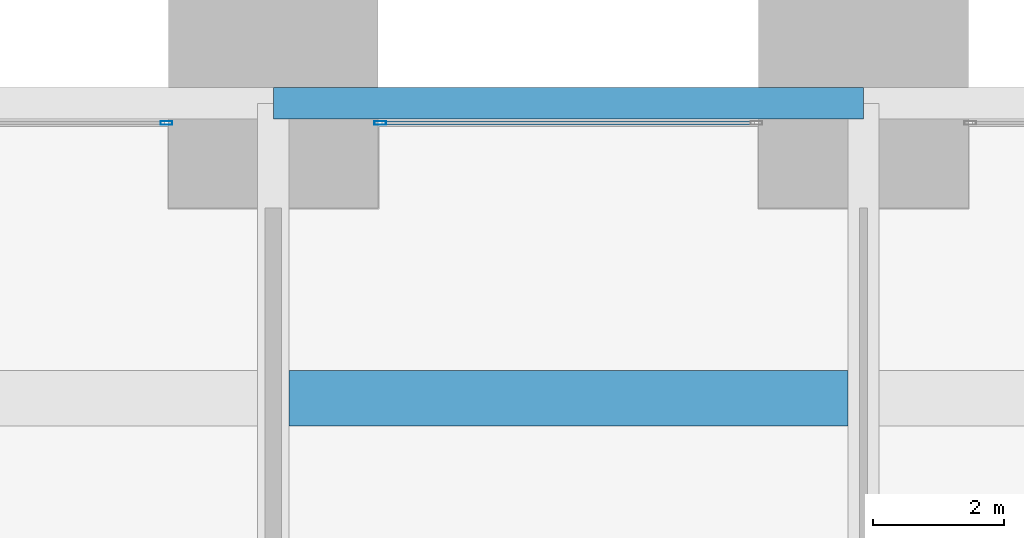
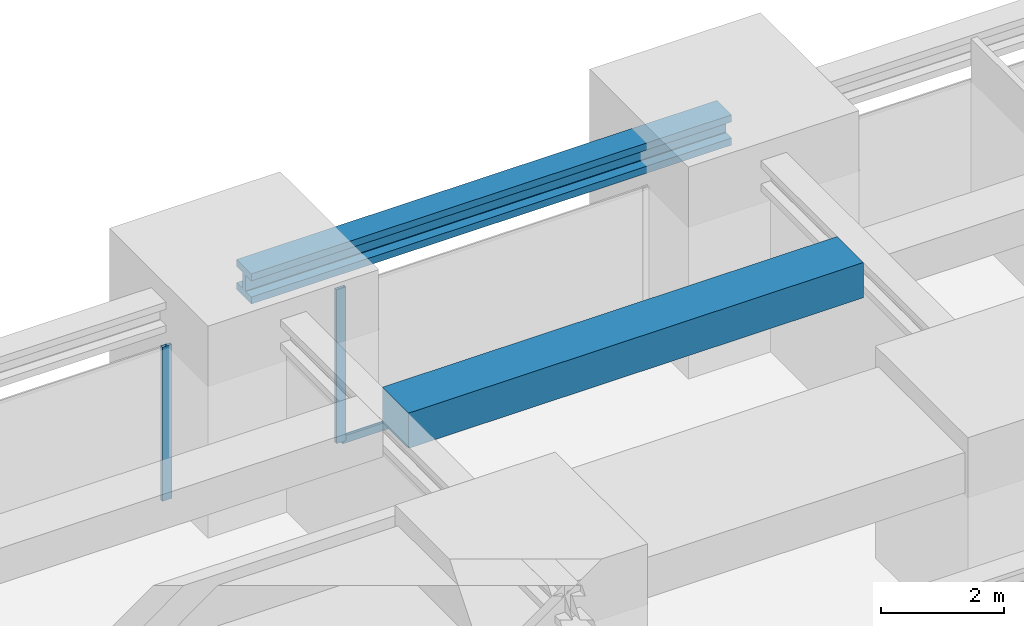
# One storey, part 29 of 42: 3 members, 2 beams, 2 elements without a shape of their own.
"""IFC4 building model written with IfcOpenShell, lengths in metres."""

import ifcopenshell
import ifcopenshell.guid

model = None  # the IFC model being written
_history = None  # IfcOwnerHistory: only IFC2X3 demands one
_inside = {}  # id of a spatial element -> (the spatial element, [elements in it])
_under = {}  # id of a project, library or spatial element -> (it, [spatial elements below it])
_declared = {}  # id of a project -> (the project, [libraries it declares])
_typed = {}  # id of a type object -> (the type object, [elements of that type])
_made_of = {}  # id of a material, layer set ... -> (it, [elements and type objects made of it])


def new_model(schema):
    """Start an empty IFC model of exactly this schema.

    Asked for "IFC4X3", IfcOpenShell would pick the latest addendum, in which some entities
    have other attributes; the version numbers below select the first issue.
    IFC2X3 requires an IfcOwnerHistory on every rooted entity: one is made here for all.
    """
    global model, _history
    if schema == "IFC4X3":
        model = ifcopenshell.file(schema_version=(4, 3, 0, 0))
    else:
        model = ifcopenshell.file(schema=schema)
    _inside.clear()
    _under.clear()
    _declared.clear()
    _typed.clear()
    _made_of.clear()
    _history = None
    if model.schema == "IFC2X3":
        org = make("IfcOrganization", Name="unknown")
        user = make(
            "IfcPersonAndOrganization",
            ThePerson=make("IfcPerson", FamilyName="unknown"),
            TheOrganization=org,
        )
        app = make(
            "IfcApplication",
            ApplicationDeveloper=org,
            Version="unknown",
            ApplicationFullName="unknown",
            ApplicationIdentifier="unknown",
        )
        _history = make(
            "IfcOwnerHistory",
            OwningUser=user,
            OwningApplication=app,
            ChangeAction="ADDED",
            CreationDate=0,
        )
    return model


def make(cls, **values):
    """One entity of the class cls with the attributes given. An attribute that is None is left unset."""
    return model.create_entity(
        cls, **{name: value for name, value in values.items() if value is not None}
    )


def rooted(cls, **values):
    """An entity with a GlobalId (a new one), such as an element, a storey or a relation."""
    return make(cls, GlobalId=ifcopenshell.guid.new(), OwnerHistory=_history, **values)


def si_unit(unit_type, name, prefix=None):
    """IfcSIUnit, for example si_unit("LENGTHUNIT", "METRE", prefix="MILLI")."""
    return make("IfcSIUnit", UnitType=unit_type, Prefix=prefix, Name=name)


def assignment(units):
    """IfcUnitAssignment: the units of a project."""
    return None if units is None else make("IfcUnitAssignment", Units=units)


def point(xyz):
    """IfcCartesianPoint."""
    return None if xyz is None else make("IfcCartesianPoint", Coordinates=xyz)


def direction(xyz):
    """IfcDirection."""
    return None if xyz is None else make("IfcDirection", DirectionRatios=xyz)


def frame(location, z_axis=None, x_axis=None):
    """IfcAxis2Placement3D, a coordinate frame: its origin and axes. An axis left out is left unset."""
    return make(
        "IfcAxis2Placement3D",
        Location=point(location),
        Axis=direction(z_axis),
        RefDirection=direction(x_axis),
    )


def frame_2d(location, x_axis=None):
    """IfcAxis2Placement2D, a coordinate frame in the plane: its origin and x axis."""
    return make(
        "IfcAxis2Placement2D", Location=point(location), RefDirection=direction(x_axis)
    )


def origin():
    """The frame at (0, 0, 0) with its axes left unset."""
    return frame((0.0, 0.0, 0.0))


def origin_2d():
    """The frame at (0, 0) in the plane with its x axis left unset."""
    return frame_2d((0.0, 0.0))


def place(relative_to, where):
    """IfcLocalPlacement: puts the frame where relative to a parent placement (None: the world)."""
    return make(
        "IfcLocalPlacement", PlacementRelTo=relative_to, RelativePlacement=where
    )


def context(
    kind, dimensions, precision=None, world=None, true_north=None, identifier=None
):
    """IfcGeometricRepresentationContext, for example the 3D "Model" context."""
    return make(
        "IfcGeometricRepresentationContext",
        ContextIdentifier=identifier,
        ContextType=kind,
        CoordinateSpaceDimension=dimensions,
        Precision=precision,
        WorldCoordinateSystem=world,
        TrueNorth=true_north,
    )


def subcontext(parent, identifier, kind, view, scale=None):
    """IfcGeometricRepresentationSubContext, for example "Body" below "Model"."""
    return make(
        "IfcGeometricRepresentationSubContext",
        ContextIdentifier=identifier,
        ContextType=kind,
        ParentContext=parent,
        TargetScale=scale,
        TargetView=view,
    )


def project(units=None, contexts=None):
    """IfcProject with its units and contexts."""
    return rooted(
        "IfcProject",
        Name="project",
        RepresentationContexts=contexts,
        UnitsInContext=assignment(units),
    )


def spatial(cls, under=None, at=None, **own):
    """A site, building, storey or space (cls), placed at a placement, below another one or the project."""
    s = rooted(cls, ObjectPlacement=at, **own)
    if under is not None:
        _under.setdefault(under.id(), (under, []))[1].append(s)
    return s


def profile(cls, at=None, kind="AREA", **sizes):
    """A parametric profile (cls). Its sizes go by their IFC names, for example OverallWidth=200.0."""
    return make(cls, ProfileType=kind, Position=at, **sizes)


def rectangle(**sizes):
    """IfcRectangleProfileDef."""
    return profile("IfcRectangleProfileDef", **sizes)


def hollow_rectangle(**sizes):
    """IfcRectangleHollowProfileDef."""
    return profile("IfcRectangleHollowProfileDef", **sizes)


def i_section(**sizes):
    """IfcIShapeProfileDef."""
    return profile("IfcIShapeProfileDef", **sizes)


def extrude(swept, where, along, depth):
    """IfcExtrudedAreaSolid: the profile swept, set in the frame where, extruded along a direction by depth."""
    return make(
        "IfcExtrudedAreaSolid",
        SweptArea=swept,
        Position=where,
        ExtrudedDirection=direction(along),
        Depth=depth,
    )


def shape(context_of_items, identifier, shape_type, items):
    """IfcShapeRepresentation: the items that make up one representation, for example the "Body"."""
    return make(
        "IfcShapeRepresentation",
        ContextOfItems=context_of_items,
        RepresentationIdentifier=identifier,
        RepresentationType=shape_type,
        Items=items,
    )


def material(Name=None, Category=None):
    """IfcMaterial."""
    return make("IfcMaterial", Name=Name, Category=Category)


def material_profile(
    of_material, cross_section, Name=None, Category=None, Priority=None
):
    """IfcMaterialProfile: a cross section and its material."""
    return make(
        "IfcMaterialProfile",
        Name=Name,
        Material=of_material,
        Profile=cross_section,
        Priority=Priority,
        Category=Category,
    )


def profile_set(profiles, Name=None, composite=None):
    """IfcMaterialProfileSet."""
    return make(
        "IfcMaterialProfileSet",
        Name=Name,
        MaterialProfiles=profiles,
        CompositeProfile=composite,
    )


def made_of(thing, what):
    """Note that an element or type object is made of a material, layer set ...; save() writes the relation."""
    if what is not None:
        _made_of.setdefault(what.id(), (what, []))[1].append(thing)
    return thing


def type_object(cls, material=None, **own):
    """A type object (cls), such as IfcWallType, which elements share."""
    return made_of(rooted(cls, **own), material)


def element(
    cls,
    number,
    at=None,
    inside=None,
    cuts=None,
    type_object=None,
    material=None,
    context=None,
    identifier="Body",
    shape_type=None,
    held_by="IfcProductDefinitionShape",
    body=None,
    shapes=None,
    **own,
):
    """One element of the class cls, such as IfcWall. Its Tag is "e" and its number.

    at: its placement. inside: the storey or other place that contains it. cuts: it is an
    opening in that element (IfcRelVoidsElement). A single representation is given by context,
    identifier, shape_type and body (its items); several are given by shapes. held_by: the class
    of the entity that holds the representations. save() writes the other relations.
    """
    e = rooted(cls, Tag="e%d" % number, ObjectPlacement=at, **own)
    if body is not None:
        shapes = [shape(context, identifier, shape_type, body)]
    if shapes is not None:
        e.Representation = make(held_by, Representations=shapes)
    if inside is not None:
        _inside.setdefault(inside.id(), (inside, []))[1].append(e)
    if cuts is not None:
        rooted(
            "IfcRelVoidsElement", RelatingBuildingElement=cuts, RelatedOpeningElement=e
        )
    if type_object is not None:
        _typed.setdefault(type_object.id(), (type_object, []))[1].append(e)
    return made_of(e, material)


def aggregate(whole, parts):
    """IfcRelAggregates: a whole, such as a stair, and the parts it consists of."""
    return rooted("IfcRelAggregates", RelatingObject=whole, RelatedObjects=parts)


def save(model, path):
    """Write the relations noted so far, then the file.

    IfcRelAggregates (storeys below a building ...), IfcRelContainedInSpatialStructure (elements
    in a storey), IfcRelDefinesByType, IfcRelAssociatesMaterial and IfcRelDeclares: one each for
    every whole, place, type object, material and project.
    """
    for whole, parts in _under.values():
        aggregate(whole, parts)
    for where, things in _inside.values():
        rooted(
            "IfcRelContainedInSpatialStructure",
            RelatedElements=things,
            RelatingStructure=where,
        )
    for kind, things in _typed.values():
        rooted("IfcRelDefinesByType", RelatedObjects=things, RelatingType=kind)
    for what, things in _made_of.values():
        rooted("IfcRelAssociatesMaterial", RelatedObjects=things, RelatingMaterial=what)
    for by, libraries in _declared.values():
        rooted("IfcRelDeclares", RelatingContext=by, RelatedDefinitions=libraries)
    model.write(path)


model = new_model("IFC4")

# Units and contexts
model_context = context("Model", 3, precision=1e-05, world=origin(), true_north=direction((0.0, 1.0)))
body_context = subcontext(model_context, "Body", "Model", "MODEL_VIEW")
ifc_project = project(units=[si_unit("LENGTHUNIT", "METRE"), si_unit("AREAUNIT", "SQUARE_METRE"), si_unit("VOLUMEUNIT", "CUBIC_METRE"), si_unit("PLANEANGLEUNIT", "RADIAN"), si_unit("MASSUNIT", "GRAM", prefix="KILO")], contexts=[model_context])

# Site, building, storey
site_placement = place(None, origin())
site = spatial("IfcSite", under=ifc_project, at=site_placement, CompositionType="ELEMENT")
building_placement = place(site_placement, origin())
building = spatial("IfcBuilding", under=site, at=building_placement, Name="Zorevar Civic Tower", CompositionType="ELEMENT")
storey_placement = place(building_placement, frame((0.0, 0.0, 75.800048828125)))
storey = spatial("IfcBuildingStorey", under=building, at=storey_placement, Name="L18", CompositionType="ELEMENT", Elevation=75.800048828125)

# Beams
ifc_material_1 = material(Name="Concrete C50/60", Category="concrete")
ifc_material_profile_1 = material_profile(ifc_material_1, rectangle(XDim=0.85009765625, YDim=0.699951171875, at=origin_2d()), Name="RC 850x700")
ifc_profile_set_1 = profile_set([ifc_material_profile_1], Name="Concrete C50/60")
beam_type_1 = type_object("IfcBeamType", Name="Beam RC 850x700", PredefinedType="BEAM", material=ifc_profile_set_1)
beam_1_placement = place(storey_placement, frame((27.238037109375, 49.5, 3.5), z_axis=(1.0, 0.0, 0.0), x_axis=(0.0, 1.0, 0.0)))
element("IfcBeam", 1, at=beam_1_placement, inside=storey, type_object=beam_type_1, Name="Secondary beam L19", PredefinedType="BEAM", context=body_context, shape_type="SweptSolid", body=[
    extrude(rectangle(XDim=0.85009765625, YDim=0.699951171875, at=origin_2d()), origin(), (0.0, 0.0, 1.0), 8.52392578125),
])
ifc_material_2 = material(Name="Steel S460M (HISTAR 460)", Category="steel")
ifc_material_profile_2 = material_profile(ifc_material_2, i_section(OverallWidth=0.47607421875, OverallDepth=0.60009765625, WebThickness=0.10009765625, FlangeThickness=0.139892578125, FilletRadius=0.014892578125, at=origin_2d()), Name="HD 400x1299")
ifc_profile_set_2 = profile_set([ifc_material_profile_2], Name="Steel S460M (HISTAR 460)")
beam_type_2 = type_object("IfcBeamType", Name="Belt chord HD 400x1299", PredefinedType="BEAM", material=ifc_profile_set_2)
beam_2_placement = place(storey_placement, frame((27.0, 54.0, 3.550048828125), z_axis=(1.0, 0.0, 0.0), x_axis=(0.0, 1.0, 0.0)))
element("IfcBeam", 2, at=beam_2_placement, inside=storey, type_object=beam_type_2, Name="Belt chord L19", PredefinedType="BEAM", context=body_context, shape_type="SweptSolid", body=[
    extrude(i_section(OverallWidth=0.47607421875, OverallDepth=0.60009765625, WebThickness=0.10009765625, FlangeThickness=0.139892578125, FilletRadius=0.014892578125, at=origin_2d()), origin(), (0.0, 0.0, 1.0), 9.0),
])

# Curtain wall, member
ifc_material_3 = material(Name="Dark grey solar-control glass in black aluminium frame", Category="aluminium")
curtain_wall_type = type_object("IfcCurtainWallType", Name="Curtain wall CW2 low zone", PredefinedType="NOTDEFINED", material=ifc_material_3)
curtain_wall_1_placement = place(storey_placement, origin())
curtain_wall_1 = element("IfcCurtainWall", 3, at=curtain_wall_1_placement, inside=storey, type_object=curtain_wall_type, Name="CW2 L18", PredefinedType="NOTDEFINED")
ifc_material_4 = material(Name="Aluminium, black anodised", Category="aluminium")
ifc_material_profile_3 = material_profile(ifc_material_4, hollow_rectangle(XDim=0.06005859375, YDim=0.179931640625, WallThickness=0.00390625, at=origin_2d()), Name="AL 180x60x4")
ifc_profile_set_3 = profile_set([ifc_material_profile_3], Name="Aluminium, black anodised")
member_type_1 = type_object("IfcMemberType", Name="CW2 mullion AL 180x60x4", PredefinedType="MULLION", material=ifc_profile_set_3)
member_1_placement = place(storey_placement, frame((25.3701171875, 53.699951171875, 0.0), z_axis=(0.0, 0.0, 1.0), x_axis=(0.0, 1.0, 0.0)))
member_1 = element("IfcMember", 4, at=member_1_placement, type_object=member_type_1, Name="CW2 mullion 2", PredefinedType="MULLION", context=body_context, shape_type="SweptSolid", body=[
    extrude(hollow_rectangle(XDim=0.06005859375, YDim=0.179931640625, WallThickness=0.00390625, at=origin_2d()), origin(), (0.0, 0.0, 1.0), 3.050048828125),
])
aggregate(curtain_wall_1, [member_1])

# Curtain wall, members
curtain_wall_2_placement = place(storey_placement, origin())
curtain_wall_2 = element("IfcCurtainWall", 5, at=curtain_wall_2_placement, inside=storey, type_object=curtain_wall_type, Name="CW2 L18", PredefinedType="NOTDEFINED")
member_2_placement = place(storey_placement, frame((28.6298828125, 53.699951171875, 0.0), z_axis=(0.0, 0.0, 1.0), x_axis=(0.0, 1.0, 0.0)))
member_2 = element("IfcMember", 6, at=member_2_placement, type_object=member_type_1, Name="CW2 mullion 1", PredefinedType="MULLION", context=body_context, shape_type="SweptSolid", body=[
    extrude(hollow_rectangle(XDim=0.06005859375, YDim=0.179931640625, WallThickness=0.00390625, at=origin_2d()), origin(), (0.0, 0.0, 1.0), 3.050048828125),
])
ifc_material_5 = material(Name="Aluminium, black anodised", Category="aluminium")
ifc_material_profile_4 = material_profile(ifc_material_5, hollow_rectangle(XDim=0.06005859375, YDim=0.14990234375, WallThickness=0.00390625, at=origin_2d()), Name="AL 150x60x4")
ifc_profile_set_4 = profile_set([ifc_material_profile_4], Name="Aluminium, black anodised")
member_type_2 = type_object("IfcMemberType", Name="CW2 transom AL 150x60x4", PredefinedType="USERDEFINED", material=ifc_profile_set_4)
member_3_placement = place(storey_placement, frame((28.659912109375, 53.699951171875, 0.030029296875), z_axis=(1.0, 0.0, 0.0), x_axis=(0.0, 1.0, 0.0)))
member_3 = element("IfcMember", 7, at=member_3_placement, type_object=member_type_2, Name="CW2 sill transom", ObjectType="TRANSOM", PredefinedType="USERDEFINED", context=body_context, shape_type="SweptSolid", body=[
    extrude(hollow_rectangle(XDim=0.06005859375, YDim=0.14990234375, WallThickness=0.00390625, at=origin_2d()), origin(), (0.0, 0.0, 1.0), 5.68017578125),
])
aggregate(curtain_wall_2, [member_2, member_3])

save(model, "model.ifc")
